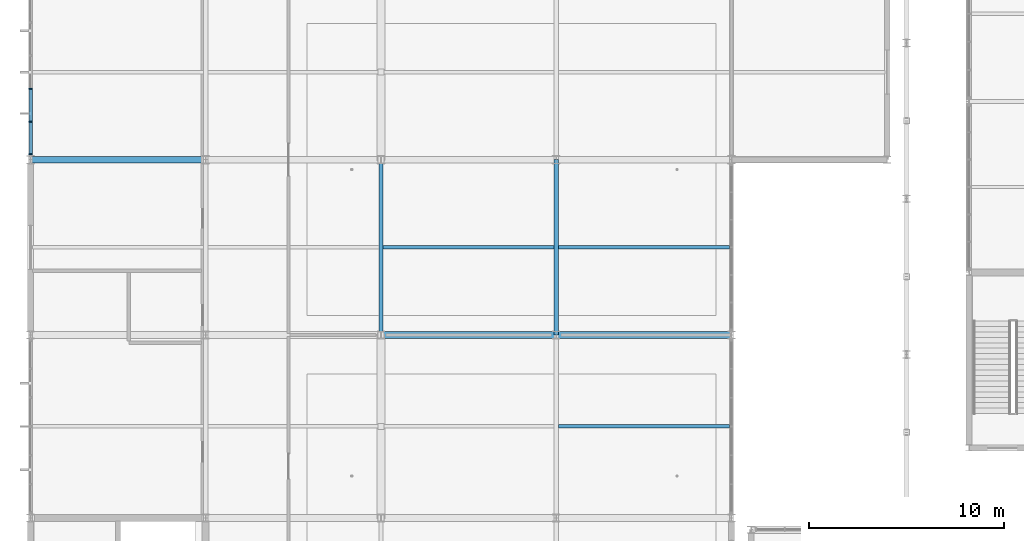
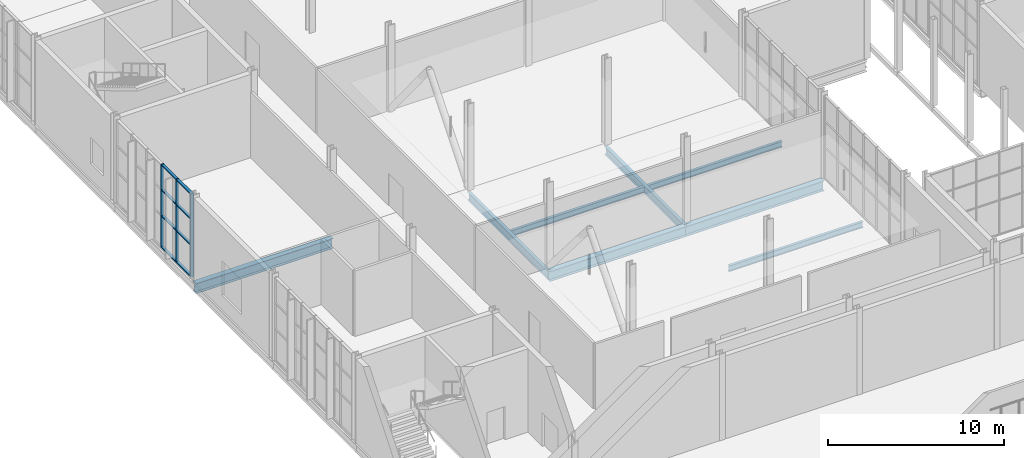
# One storey, part 48 of 159: 11 members, 8 beams, 1 element without a shape of its own.
"""IFC4 building model written with IfcOpenShell, lengths in metres."""

from ifc_helpers import new_model, si_unit, direction, frame, origin, origin_2d, place, context, subcontext, project, spatial, rectangle, i_section, extrude, material, layer, layer_set, material_profile, profile_set, type_object, element, aggregate, save


model = new_model("IFC4")

# Units and contexts
model_context = context("Model", 3, precision=1e-05, world=origin(), true_north=direction((0.0, 1.0)))
body_context = subcontext(model_context, "Body", "Model", "MODEL_VIEW")
ifc_project = project(units=[si_unit("LENGTHUNIT", "METRE"), si_unit("AREAUNIT", "SQUARE_METRE"), si_unit("VOLUMEUNIT", "CUBIC_METRE"), si_unit("PLANEANGLEUNIT", "RADIAN"), si_unit("MASSUNIT", "GRAM", prefix="KILO")], contexts=[model_context])

# Site, building, storey
site_placement = place(None, origin())
site = spatial("IfcSite", under=ifc_project, at=site_placement, CompositionType="ELEMENT")
building_placement = place(site_placement, origin())
building = spatial("IfcBuilding", under=site, at=building_placement, Name="Cazmaro Siding Exhibition Halls", CompositionType="ELEMENT")
storey_placement = place(building_placement, frame((0.0, 0.0, 6.0)))
storey = spatial("IfcBuildingStorey", under=building, at=storey_placement, Name="L01", CompositionType="ELEMENT", Elevation=6.0)

# Beams
ifc_material_1 = material(Name="Steel ASTM A992 Grade 50", Category="steel")
ifc_material_profile_1 = material_profile(ifc_material_1, i_section(OverallWidth=0.214111328125, OverallDepth=0.549072265625, WebThickness=0.014892578125, FlangeThickness=0.02392578125, at=origin_2d()), Name="W21X93")
ifc_profile_set_1 = profile_set([ifc_material_profile_1], Name="Steel ASTM A992 Grade 50")
beam_type_1 = type_object("IfcBeamType", Name="B-01", PredefinedType="BEAM", material=ifc_profile_set_1)
for number, where, z_axis, x_axis, name in (
    (1, (18.0, 73.0, -0.493896484375), (0.0, 1.0, 0.0), (-1.0, 0.0, 0.0), "Beam B-01 BM-2012"),
    (2, (27.0, 73.0, -0.493896484375), (0.0, 1.0, 0.0), (-1.0, 0.0, 0.0), "Beam B-01 BM-2020"),
):
    element("IfcBeam", number, at=place(storey_placement, frame(where, z_axis=z_axis, x_axis=x_axis)), inside=storey, type_object=beam_type_1, Name=name, PredefinedType="BEAM", context=body_context, shape_type="SweptSolid", body=[
        extrude(i_section(OverallWidth=0.214111328125, OverallDepth=0.549072265625, WebThickness=0.014892578125, FlangeThickness=0.02392578125, at=origin_2d()), origin(), (0.0, 0.0, 1.0), 9.0),
    ])

# Curtain wall, members
ifc_material_2 = material(Name="Anodized Bronze Aluminum and Solar-Control Low-E Glazing", Category="aluminium")
ifc_layer = layer(ifc_material_2, 0.199951171875)
ifc_layer_set = layer_set([ifc_layer], Name="Anodized Bronze Aluminum and Solar-Control Low-E Glazing")
curtain_wall_type = type_object("IfcCurtainWallType", Name="CWS-02", PredefinedType="USERDEFINED", material=ifc_layer_set)
curtain_wall_placement = place(storey_placement, origin())
curtain_wall = element("IfcCurtainWall", 3, at=curtain_wall_placement, inside=storey, type_object=curtain_wall_type, Name="Glazed Curtain Wall CWS-02 CW-233", ObjectType="GLAZED CURTAIN WALL", PredefinedType="USERDEFINED")
ifc_material_3 = material(Name="Anodized Bronze Extruded Aluminum", Category="aluminium")
ifc_material_profile_2 = material_profile(ifc_material_3, rectangle(XDim=0.199951171875, YDim=0.06494140625, at=origin_2d()), Name="CWM-02")
ifc_profile_set_2 = profile_set([ifc_material_profile_2], Name="Anodized Bronze Extruded Aluminum")
member_type_1 = type_object("IfcMemberType", Name="CWM-02", PredefinedType="MULLION", material=ifc_profile_set_2)
member_1_placement = place(storey_placement, frame((0.0, 85.650634765625, 0.0), z_axis=(0.0, 0.0, 1.0), x_axis=(1.0, 0.0, 0.0)))
member_1 = element("IfcMember", 4, at=member_1_placement, type_object=member_type_1, Name="CWS-02 mullion 4", PredefinedType="MULLION", context=body_context, shape_type="SweptSolid", body=[
    extrude(rectangle(XDim=0.199951171875, YDim=0.06494140625, at=origin_2d()), origin(), (0.0, 0.0, 1.0), 5.780029296875),
])
member_2_placement = place(storey_placement, frame((0.0, 83.951904296875, 0.0), z_axis=(0.0, 0.0, 1.0), x_axis=(1.0, 0.0, 0.0)))
member_2 = element("IfcMember", 5, at=member_2_placement, type_object=member_type_1, Name="CWS-02 mullion 5", PredefinedType="MULLION", context=body_context, shape_type="SweptSolid", body=[
    extrude(rectangle(XDim=0.199951171875, YDim=0.06494140625, at=origin_2d()), origin(), (0.0, 0.0, 1.0), 5.780029296875),
])
member_3_placement = place(storey_placement, frame((0.0, 82.285400390625, 0.0), z_axis=(0.0, 0.0, 1.0), x_axis=(1.0, 0.0, 0.0)))
member_3 = element("IfcMember", 6, at=member_3_placement, type_object=member_type_1, Name="CWS-02 mullion 6", PredefinedType="MULLION", context=body_context, shape_type="SweptSolid", body=[
    extrude(rectangle(XDim=0.199951171875, YDim=0.06494140625, at=origin_2d()), origin(), (0.0, 0.0, 1.0), 5.780029296875),
])
ifc_material_4 = material(Name="Anodized Bronze Extruded Aluminum", Category="aluminium")
ifc_material_profile_3 = material_profile(ifc_material_4, rectangle(XDim=0.179931640625, YDim=0.06494140625, at=origin_2d()), Name="CWT-02")
ifc_profile_set_3 = profile_set([ifc_material_profile_3], Name="Anodized Bronze Extruded Aluminum")
member_type_2 = type_object("IfcMemberType", Name="CWT-02", PredefinedType="MULLION", material=ifc_profile_set_3)
member_4_placement = place(storey_placement, frame((0.0, 85.6181640625, 0.032470703125), z_axis=(0.0, -1.0, 0.0), x_axis=(1.0, 0.0, 0.0)))
member_4 = element("IfcMember", 7, at=member_4_placement, type_object=member_type_2, Name="CWS-02 transom 4.1", ObjectType="TRANSOM", PredefinedType="USERDEFINED", context=body_context, shape_type="SweptSolid", body=[
    extrude(rectangle(XDim=0.179931640625, YDim=0.06494140625, at=origin_2d()), origin(), (0.0, 0.0, 1.0), 1.6337890625),
])
member_5_placement = place(storey_placement, frame((0.0, 85.6181640625, 2.199951171875), z_axis=(0.0, -1.0, 0.0), x_axis=(1.0, 0.0, 0.0)))
member_5 = element("IfcMember", 8, at=member_5_placement, type_object=member_type_2, Name="CWS-02 transom 4.2", ObjectType="TRANSOM", PredefinedType="USERDEFINED", context=body_context, shape_type="SweptSolid", body=[
    extrude(rectangle(XDim=0.179931640625, YDim=0.06494140625, at=origin_2d()), origin(), (0.0, 0.0, 1.0), 1.6337890625),
])
member_6_placement = place(storey_placement, frame((0.0, 85.6181640625, 4.0), z_axis=(0.0, -1.0, 0.0), x_axis=(1.0, 0.0, 0.0)))
member_6 = element("IfcMember", 9, at=member_6_placement, type_object=member_type_2, Name="CWS-02 transom 4.3", ObjectType="TRANSOM", PredefinedType="USERDEFINED", context=body_context, shape_type="SweptSolid", body=[
    extrude(rectangle(XDim=0.179931640625, YDim=0.06494140625, at=origin_2d()), origin(), (0.0, 0.0, 1.0), 1.6337890625),
])
member_7_placement = place(storey_placement, frame((0.0, 85.6181640625, 5.74755859375), z_axis=(0.0, -1.0, 0.0), x_axis=(1.0, 0.0, 0.0)))
member_7 = element("IfcMember", 10, at=member_7_placement, type_object=member_type_2, Name="CWS-02 transom 4.4", ObjectType="TRANSOM", PredefinedType="USERDEFINED", context=body_context, shape_type="SweptSolid", body=[
    extrude(rectangle(XDim=0.179931640625, YDim=0.06494140625, at=origin_2d()), origin(), (0.0, 0.0, 1.0), 1.6337890625),
])
member_8_placement = place(storey_placement, frame((0.0, 83.919189453125, 0.032470703125), z_axis=(0.0, -1.0, 0.0), x_axis=(1.0, 0.0, 0.0)))
member_8 = element("IfcMember", 11, at=member_8_placement, type_object=member_type_2, Name="CWS-02 transom 5.1", ObjectType="TRANSOM", PredefinedType="USERDEFINED", context=body_context, shape_type="SweptSolid", body=[
    extrude(rectangle(XDim=0.179931640625, YDim=0.06494140625, at=origin_2d()), origin(), (0.0, 0.0, 1.0), 1.60107421875),
])
member_9_placement = place(storey_placement, frame((0.0, 83.919189453125, 2.199951171875), z_axis=(0.0, -1.0, 0.0), x_axis=(1.0, 0.0, 0.0)))
member_9 = element("IfcMember", 12, at=member_9_placement, type_object=member_type_2, Name="CWS-02 transom 5.2", ObjectType="TRANSOM", PredefinedType="USERDEFINED", context=body_context, shape_type="SweptSolid", body=[
    extrude(rectangle(XDim=0.179931640625, YDim=0.06494140625, at=origin_2d()), origin(), (0.0, 0.0, 1.0), 1.60107421875),
])
member_10_placement = place(storey_placement, frame((0.0, 83.919189453125, 4.0), z_axis=(0.0, -1.0, 0.0), x_axis=(1.0, 0.0, 0.0)))
member_10 = element("IfcMember", 13, at=member_10_placement, type_object=member_type_2, Name="CWS-02 transom 5.3", ObjectType="TRANSOM", PredefinedType="USERDEFINED", context=body_context, shape_type="SweptSolid", body=[
    extrude(rectangle(XDim=0.179931640625, YDim=0.06494140625, at=origin_2d()), origin(), (0.0, 0.0, 1.0), 1.60107421875),
])
member_11_placement = place(storey_placement, frame((0.0, 83.919189453125, 5.74755859375), z_axis=(0.0, -1.0, 0.0), x_axis=(1.0, 0.0, 0.0)))
member_11 = element("IfcMember", 14, at=member_11_placement, type_object=member_type_2, Name="CWS-02 transom 5.4", ObjectType="TRANSOM", PredefinedType="USERDEFINED", context=body_context, shape_type="SweptSolid", body=[
    extrude(rectangle(XDim=0.179931640625, YDim=0.06494140625, at=origin_2d()), origin(), (0.0, 0.0, 1.0), 1.60107421875),
])
aggregate(curtain_wall, [member_1, member_2, member_3, member_4, member_5, member_6, member_7, member_8, member_9, member_10, member_11])

# Beams
ifc_material_5 = material(Name="Steel ASTM A992 Grade 50", Category="steel")
ifc_material_profile_4 = material_profile(ifc_material_5, i_section(OverallWidth=0.35595703125, OverallDepth=0.696044921875, WebThickness=0.014892578125, FlangeThickness=0.02490234375, at=origin_2d()), Name="W27X146")
ifc_profile_set_4 = profile_set([ifc_material_profile_4], Name="Steel ASTM A992 Grade 50")
beam_type_2 = type_object("IfcBeamType", Name="G-05", PredefinedType="USERDEFINED", material=ifc_profile_set_4)
for number, where, z_axis, x_axis, name in (
    (15, (0.0, 82.0, -0.568115234375), (1.0, 0.0, 0.0), (0.0, 1.0, 0.0), "Beam G-05 BM-1930"),
    (16, (18.0, 73.0, -0.568115234375), (1.0, 0.0, 0.0), (0.0, 1.0, 0.0), "Beam G-05 BM-1962"),
    (17, (27.0, 73.0, -0.568115234375), (1.0, 0.0, 0.0), (0.0, 1.0, 0.0), "Beam G-05 BM-1979"),
):
    element("IfcBeam", number, at=place(storey_placement, frame(where, z_axis=z_axis, x_axis=x_axis)), inside=storey, type_object=beam_type_2, Name=name, ObjectType="GIRDER", PredefinedType="USERDEFINED", context=body_context, shape_type="SweptSolid", body=[
        extrude(i_section(OverallWidth=0.35595703125, OverallDepth=0.696044921875, WebThickness=0.014892578125, FlangeThickness=0.02490234375, at=origin_2d()), origin(), (0.0, 0.0, 1.0), 9.0),
    ])
ifc_material_6 = material(Name="Steel ASTM A992 Grade 50", Category="steel")
ifc_material_profile_5 = material_profile(ifc_material_6, i_section(OverallWidth=0.177978515625, OverallDepth=0.406005859375, WebThickness=0.008056640625, FlangeThickness=0.012939453125, at=origin_2d()), Name="W16X40")
ifc_profile_set_5 = profile_set([ifc_material_profile_5], Name="Steel ASTM A992 Grade 50")
beam_type_3 = type_object("IfcBeamType", Name="J-02", PredefinedType="JOIST", material=ifc_profile_set_5)
for number, where, z_axis, x_axis, name in (
    (18, (18.10693359375, 77.5, -0.423095703125), (1.0, 0.0, 0.0), (0.0, 1.0, 0.0), "Beam J-02 BM-1971"),
    (19, (27.10693359375, 68.300048828125, -0.423095703125), (1.0, 0.0, 0.0), (0.0, 1.0, 0.0), "Beam J-02 BM-1987"),
    (20, (27.10693359375, 77.5, -0.423095703125), (1.0, 0.0, 0.0), (0.0, 1.0, 0.0), "Beam J-02 BM-1988"),
):
    element("IfcBeam", number, at=place(storey_placement, frame(where, z_axis=z_axis, x_axis=x_axis)), inside=storey, type_object=beam_type_3, Name=name, PredefinedType="JOIST", context=body_context, shape_type="SweptSolid", body=[
        extrude(i_section(OverallWidth=0.177978515625, OverallDepth=0.406005859375, WebThickness=0.008056640625, FlangeThickness=0.012939453125, at=origin_2d()), origin(), (0.0, 0.0, 1.0), 8.7861328125),
    ])

save(model, "model.ifc")
